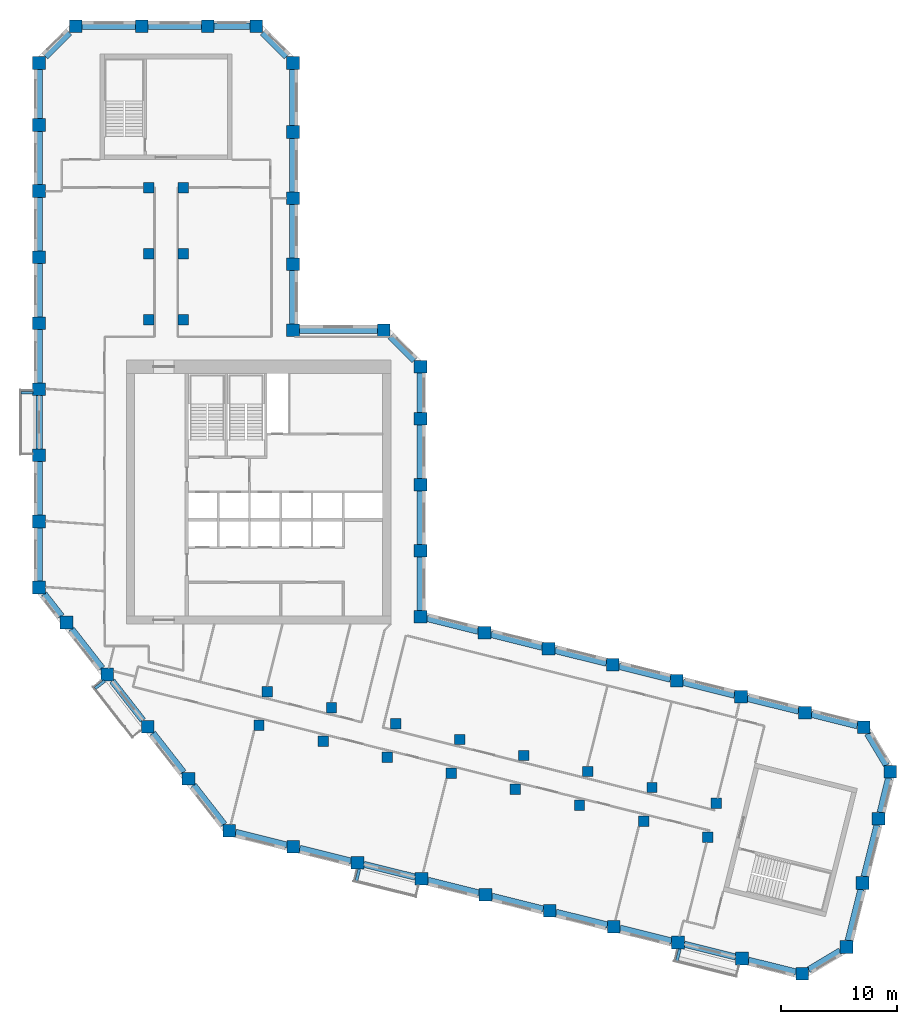
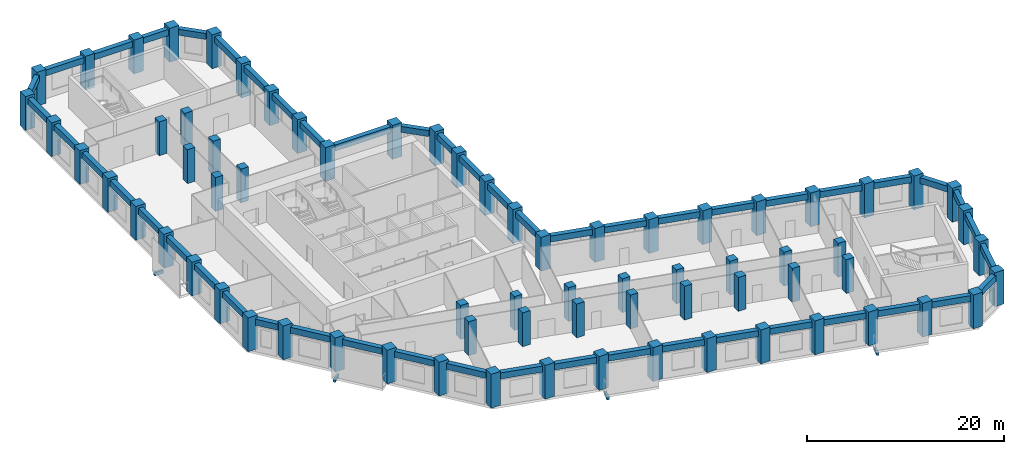
# One storey, part 1 of 10: 71 columns, 53 beams.
"""IFC4 building model written with IfcOpenShell, lengths in metres."""

from ifc_helpers import new_model, si_unit, direction, frame, origin, origin_2d, place, context, subcontext, project, spatial, rectangle, extrude, material, material_profile, profile_set, type_object, element, save


model = new_model("IFC4")

# Units and contexts
model_context = context("Model", 3, precision=1e-05, world=origin(), true_north=direction((0.0, 1.0)))
body_context = subcontext(model_context, "Body", "Model", "MODEL_VIEW")
ifc_project = project(units=[si_unit("LENGTHUNIT", "METRE"), si_unit("AREAUNIT", "SQUARE_METRE"), si_unit("VOLUMEUNIT", "CUBIC_METRE"), si_unit("PLANEANGLEUNIT", "RADIAN"), si_unit("MASSUNIT", "GRAM", prefix="KILO")], contexts=[model_context])

# Site, building, storey
site_placement = place(None, origin())
site = spatial("IfcSite", under=ifc_project, at=site_placement, CompositionType="ELEMENT")
building_placement = place(site_placement, origin())
building = spatial("IfcBuilding", under=site, at=building_placement, Name="Meshkara Civic Tower", CompositionType="ELEMENT")
storey_placement = place(building_placement, frame((0.0, 0.0, 267.60009765625)))
storey = spatial("IfcBuildingStorey", under=building, at=storey_placement, Name="L61", CompositionType="ELEMENT", Elevation=267.60009765625)

# Columns
ifc_material_1 = material(Name="Concrete C60", Category="concrete")
ifc_material_profile_1 = material_profile(ifc_material_1, rectangle(XDim=0.89990234375, YDim=0.89990234375, at=origin_2d()))
ifc_profile_set_1 = profile_set([ifc_material_profile_1], Name="Concrete C60")
column_type_1 = type_object("IfcColumnType", Name="Interior column RC 900x900 C60", PredefinedType="COLUMN", material=ifc_profile_set_1)
for number, where, z_axis, x_axis, name in (
    (1, (9.89990234375, 40.35009765625, 0.0), (0.0, 0.0, 1.0), (1.0, 0.0, 0.0), "Column SA1-04 L61"),
    (2, (9.89990234375, 46.050048828125, 0.0), (0.0, 0.0, 1.0), (1.0, 0.0, 0.0), "Column SA1-05 L61"),
    (3, (9.89990234375, 51.75, 0.0), (0.0, 0.0, 1.0), (1.0, 0.0, 0.0), "Column SA1-06 L61"),
    (4, (12.89990234375, 40.35009765625, 0.0), (0.0, 0.0, 1.0), (1.0, 0.0, 0.0), "Column SA2-04 L61"),
    (5, (12.89990234375, 46.050048828125, 0.0), (0.0, 0.0, 1.0), (1.0, 0.0, 0.0), "Column SA2-05 L61"),
    (6, (12.89990234375, 51.75, 0.0), (0.0, 0.0, 1.0), (1.0, 0.0, 0.0), "Column SA2-06 L61"),
    (7, (19.424072265625, 5.360107421875, 0.0), (0.0, 0.0, 1.0), (1.0, 0.0, 0.0), "Column SB1-00 L61"),
    (8, (24.9541015625, 3.98095703125, 0.0), (0.0, 0.0, 1.0), (1.0, 0.0, 0.0), "Column SB1-01 L61"),
    (9, (30.485107421875, 2.60205078125, 0.0), (0.0, 0.0, 1.0), (1.0, 0.0, 0.0), "Column SB1-02 L61"),
    (10, (36.01611328125, 1.222900390625, 0.0), (0.0, 0.0, 1.0), (1.0, 0.0, 0.0), "Column SB1-03 L61"),
    (11, (41.5458984375, -0.156005859375, 0.0), (0.0, 0.0, 1.0), (1.0, 0.0, 0.0), "Column SB1-04 L61"),
    (12, (47.076904296875, -1.534912109375, 0.0), (0.0, 0.0, 1.0), (1.0, 0.0, 0.0), "Column SB1-05 L61"),
    (13, (52.60791015625, -2.9140625, 0.0), (0.0, 0.0, 1.0), (1.0, 0.0, 0.0), "Column SB1-06 L61"),
    (14, (58.138916015625, -4.2919921875, 0.0), (0.0, 0.0, 1.0), (1.0, 0.0, 0.0), "Column SB1-07 L61"),
    (15, (20.14892578125, 8.27099609375, 0.0), (0.0, 0.0, 1.0), (1.0, 0.0, 0.0), "Column SB2-00 L61"),
    (16, (25.679931640625, 6.89208984375, 0.0), (0.0, 0.0, 1.0), (1.0, 0.0, 0.0), "Column SB2-01 L61"),
    (17, (31.2109375, 5.512939453125, 0.0), (0.0, 0.0, 1.0), (1.0, 0.0, 0.0), "Column SB2-02 L61"),
    (18, (36.741943359375, 4.134033203125, 0.0), (0.0, 0.0, 1.0), (1.0, 0.0, 0.0), "Column SB2-03 L61"),
    (19, (42.27197265625, 2.7548828125, 0.0), (0.0, 0.0, 1.0), (1.0, 0.0, 0.0), "Column SB2-04 L61"),
    (20, (47.802978515625, 1.3759765625, 0.0), (0.0, 0.0, 1.0), (1.0, 0.0, 0.0), "Column SB2-05 L61"),
    (21, (53.333984375, -0.0029296875, 0.0), (0.0, 0.0, 1.0), (1.0, 0.0, 0.0), "Column SB2-06 L61"),
    (22, (58.864013671875, -1.382080078125, 0.0), (0.0, 0.0, 1.0), (1.0, 0.0, 0.0), "Column SB2-07 L61"),
):
    element("IfcColumn", number, at=place(storey_placement, frame(where, z_axis=z_axis, x_axis=x_axis)), inside=storey, type_object=column_type_1, Name=name, PredefinedType="COLUMN", context=body_context, shape_type="SweptSolid", body=[
        extrude(rectangle(XDim=0.89990234375, YDim=0.89990234375, at=origin_2d()), origin(), (0.0, 0.0, 1.0), 4.199951171875),
    ])
ifc_material_2 = material(Name="Concrete C60", Category="concrete")
ifc_material_profile_2 = material_profile(ifc_material_2, rectangle(XDim=1.10009765625, YDim=1.10009765625, at=origin_2d()))
ifc_profile_set_2 = profile_set([ifc_material_profile_2], Name="Concrete C60")
column_type_2 = type_object("IfcColumnType", Name="Perimeter column RC 1100x1100 C60", PredefinedType="COLUMN", material=ifc_profile_set_2)
for number, where, z_axis, x_axis, name in (
    (23, (33.35009765625, 14.718994140625, 0.0), (0.0, 0.0, 1.0), (1.0, 0.0, 0.0), "Column HE00 L61"),
    (24, (33.35009765625, 20.4189453125, 0.0), (0.0, 0.0, 1.0), (1.0, 0.0, 0.0), "Column HE01 L61"),
    (25, (33.35009765625, 26.118896484375, 0.0), (0.0, 0.0, 1.0), (1.0, 0.0, 0.0), "Column HE02 L61"),
    (26, (33.35009765625, 31.819091796875, 0.0), (0.0, 0.0, 1.0), (1.0, 0.0, 0.0), "Column HE03 L61"),
    (27, (33.35009765625, 36.2939453125, 0.0), (0.0, 0.0, 1.0), (1.0, 0.0, 0.0), "Column HEE L61"),
    (28, (30.194091796875, 39.449951171875, 0.0), (0.0, 0.0, 1.0), (1.0, 0.0, 0.0), "Column HCeE L61"),
    (29, (22.35009765625, 39.449951171875, 0.0), (0.0, 0.0, 1.0), (1.0, 0.0, 0.0), "Column HN00 L61"),
    (30, (22.35009765625, 45.14990234375, 0.0), (0.0, 0.0, 1.0), (1.0, 0.0, 0.0), "Column AE01 L61"),
    (31, (22.35009765625, 50.85009765625, 0.0), (0.0, 0.0, 1.0), (1.0, 0.0, 0.0), "Column AE02 L61"),
    (32, (22.35009765625, 56.550048828125, 0.0), (0.0, 0.0, 1.0), (1.0, 0.0, 0.0), "Column AE03 L61"),
    (33, (22.35009765625, 62.513916015625, 0.0), (0.0, 0.0, 1.0), (1.0, 0.0, 0.0), "Column AEEP3 L61"),
    (34, (19.194091796875, 65.669921875, 0.0), (0.0, 0.0, 1.0), (1.0, 0.0, 0.0), "Column ATiEP3 L61"),
    (35, (3.60595703125, 65.669921875, 0.0), (0.0, 0.0, 1.0), (1.0, 0.0, 0.0), "Column AT00-P3 L61"),
    (36, (9.305908203125, 65.669921875, 0.0), (0.0, 0.0, 1.0), (1.0, 0.0, 0.0), "Column AT01-P3 L61"),
    (37, (15.006103515625, 65.669921875, 0.0), (0.0, 0.0, 1.0), (1.0, 0.0, 0.0), "Column AT02-P3 L61"),
    (38, (0.449951171875, 62.513916015625, 0.0), (0.0, 0.0, 1.0), (1.0, 0.0, 0.0), "Column ATo00-P3 L61"),
    (39, (0.449951171875, 17.2548828125, 0.0), (0.0, 0.0, 1.0), (1.0, 0.0, 0.0), "Column AW00 L61"),
    (40, (0.449951171875, 22.955078125, 0.0), (0.0, 0.0, 1.0), (1.0, 0.0, 0.0), "Column AW01 L61"),
    (41, (0.449951171875, 28.655029296875, 0.0), (0.0, 0.0, 1.0), (1.0, 0.0, 0.0), "Column AW02 L61"),
    (42, (0.449951171875, 34.35498046875, 0.0), (0.0, 0.0, 1.0), (1.0, 0.0, 0.0), "Column AW03 L61"),
    (43, (0.449951171875, 40.054931640625, 0.0), (0.0, 0.0, 1.0), (1.0, 0.0, 0.0), "Column AW04 L61"),
    (44, (0.449951171875, 45.7548828125, 0.0), (0.0, 0.0, 1.0), (1.0, 0.0, 0.0), "Column AW05 L61"),
    (45, (0.449951171875, 51.455078125, 0.0), (0.0, 0.0, 1.0), (1.0, 0.0, 0.0), "Column AW06 L61"),
    (46, (0.449951171875, 57.155029296875, 0.0), (0.0, 0.0, 1.0), (1.0, 0.0, 0.0), "Column AW07 L61"),
    (47, (16.85107421875, -3.738037109375, 0.0), (0.0, 0.0, 1.0), (1.0, 0.0, 0.0), "Column BOW00 L61"),
    (48, (13.342041015625, 0.75390625, 0.0), (0.0, 0.0, 1.0), (1.0, 0.0, 0.0), "Column BOW01 L61"),
    (49, (9.8330078125, 5.2451171875, 0.0), (0.0, 0.0, 1.0), (1.0, 0.0, 0.0), "Column BOW02 L61"),
    (50, (6.322998046875, 9.737060546875, 0.0), (0.0, 0.0, 1.0), (1.0, 0.0, 0.0), "Column BOW03 L61"),
    (51, (2.81396484375, 14.22900390625, 0.0), (0.0, 0.0, 1.0), (1.0, 0.0, 0.0), "Column BOW04 L61"),
    (52, (22.382080078125, -5.116943359375, 0.0), (0.0, 0.0, 1.0), (1.0, 0.0, 0.0), "Column BS01 L61"),
    (53, (27.912109375, -6.49609375, 0.0), (0.0, 0.0, 1.0), (1.0, 0.0, 0.0), "Column BS02 L61"),
    (54, (33.443115234375, -7.875, 0.0), (0.0, 0.0, 1.0), (1.0, 0.0, 0.0), "Column BS03 L61"),
    (55, (38.97412109375, -9.2529296875, 0.0), (0.0, 0.0, 1.0), (1.0, 0.0, 0.0), "Column BS04-P1 L61"),
    (56, (44.5048828125, -10.632080078125, 0.0), (0.0, 0.0, 1.0), (1.0, 0.0, 0.0), "Column BS05 L61"),
    (57, (50.034912109375, -12.010986328125, 0.0), (0.0, 0.0, 1.0), (1.0, 0.0, 0.0), "Column BS06 L61"),
    (58, (55.56591796875, -13.389892578125, 0.0), (0.0, 0.0, 1.0), (1.0, 0.0, 0.0), "Column BS07 L61"),
    (59, (61.096923828125, -14.76904296875, 0.0), (0.0, 0.0, 1.0), (1.0, 0.0, 0.0), "Column BS08 L61"),
    (60, (66.2958984375, -16.06494140625, 0.0), (0.0, 0.0, 1.0), (1.0, 0.0, 0.0), "Column BSEP3 L61"),
    (61, (70.1220703125, -13.76611328125, 0.0), (0.0, 0.0, 1.0), (1.0, 0.0, 0.0), "Column BToEP3 L61"),
    (62, (71.5009765625, -8.235107421875, 0.0), (0.0, 0.0, 1.0), (1.0, 0.0, 0.0), "Column BT01-P3 L61"),
    (63, (72.8798828125, -2.705078125, 0.0), (0.0, 0.0, 1.0), (1.0, 0.0, 0.0), "Column BT02-P3 L61"),
    (64, (73.89306640625, 1.35791015625, 0.0), (0.0, 0.0, 1.0), (1.0, 0.0, 0.0), "Column BTEP3 L61"),
    (65, (71.593994140625, 5.18310546875, 0.0), (0.0, 0.0, 1.0), (1.0, 0.0, 0.0), "Column BTi00-P3 L61"),
    (66, (38.881103515625, 13.340087890625, 0.0), (0.0, 0.0, 1.0), (1.0, 0.0, 0.0), "Column BN01 L61"),
    (67, (44.410888671875, 11.9609375, 0.0), (0.0, 0.0, 1.0), (1.0, 0.0, 0.0), "Column BN02 L61"),
    (68, (49.94189453125, 10.58203125, 0.0), (0.0, 0.0, 1.0), (1.0, 0.0, 0.0), "Column BN03 L61"),
    (69, (55.472900390625, 9.202880859375, 0.0), (0.0, 0.0, 1.0), (1.0, 0.0, 0.0), "Column BN04 L61"),
    (70, (61.0029296875, 7.823974609375, 0.0), (0.0, 0.0, 1.0), (1.0, 0.0, 0.0), "Column BN05 L61"),
    (71, (66.533935546875, 6.445068359375, 0.0), (0.0, 0.0, 1.0), (1.0, 0.0, 0.0), "Column BN06 L61"),
):
    element("IfcColumn", number, at=place(storey_placement, frame(where, z_axis=z_axis, x_axis=x_axis)), inside=storey, type_object=column_type_2, Name=name, PredefinedType="COLUMN", context=body_context, shape_type="SweptSolid", body=[
        extrude(rectangle(XDim=1.10009765625, YDim=1.10009765625, at=origin_2d()), origin(), (0.0, 0.0, 1.0), 4.199951171875),
    ])

# Beams
ifc_material_3 = material(Name="Concrete C50", Category="concrete")
ifc_material_profile_3 = material_profile(ifc_material_3, rectangle(XDim=0.25, YDim=0.39990234375, at=origin_2d()))
ifc_profile_set_3 = profile_set([ifc_material_profile_3], Name="Concrete C50")
beam_type_1 = type_object("IfcBeamType", Name="Balcony bracket beam RC 250x400 C50", PredefinedType="BEAM", material=ifc_profile_set_3)
beam_1_placement = place(storey_placement, frame((-0.094970703125, 34.054931640625, -0.5), z_axis=(-1.0, 0.0, 0.0), x_axis=(0.0, -1.0, 0.0)))
element("IfcBeam", 72, at=beam_1_placement, inside=storey, type_object=beam_type_1, Name="Balcony bracket beam", PredefinedType="BEAM", context=body_context, shape_type="SweptSolid", body=[
    extrude(rectangle(XDim=0.25, YDim=0.39990234375, at=origin_2d()), origin(), (0.0, 0.0, 1.0), 1.005126953125),
])
beam_2_placement = place(storey_placement, frame((6.110107421875, 9.18994140625, -0.5), z_axis=(-0.788091711778, -0.615557839546, 0.0), x_axis=(0.615557839546, -0.788091711778, 0.0)))
element("IfcBeam", 73, at=beam_2_placement, inside=storey, type_object=beam_type_1, Name="Balcony bracket beam", PredefinedType="BEAM", context=body_context, shape_type="SweptSolid", body=[
    extrude(rectangle(XDim=0.25, YDim=0.39990234375, at=origin_2d()), origin(), (0.0, 0.0, 1.0), 1.044189453125),
])
beam_3_placement = place(storey_placement, frame((28.0849609375, -7.041015625, -0.5), z_axis=(-0.241940897637, -0.970290988338, 0.0), x_axis=(0.970290988338, -0.241940897637, 0.0)))
element("IfcBeam", 74, at=beam_3_placement, inside=storey, type_object=beam_type_1, Name="Balcony bracket beam", PredefinedType="BEAM", context=body_context, shape_type="SweptSolid", body=[
    extrude(rectangle(XDim=0.25, YDim=0.39990234375, at=origin_2d()), origin(), (0.0, 0.0, 1.0), 1.0625),
])
beam_4_placement = place(storey_placement, frame((55.739013671875, -13.93505859375, -0.5), z_axis=(-0.241725333206, -0.970344713639, 0.0), x_axis=(0.970344713639, -0.241725333206, 0.0)))
element("IfcBeam", 75, at=beam_4_placement, inside=storey, type_object=beam_type_1, Name="Balcony bracket beam", PredefinedType="BEAM", context=body_context, shape_type="SweptSolid", body=[
    extrude(rectangle(XDim=0.25, YDim=0.39990234375, at=origin_2d()), origin(), (0.0, 0.0, 1.0), 1.0634765625),
])
ifc_material_4 = material(Name="Concrete C60", Category="concrete")
ifc_material_profile_4 = material_profile(ifc_material_4, rectangle(XDim=0.550048828125, YDim=0.75, at=origin_2d()))
ifc_profile_set_4 = profile_set([ifc_material_profile_4], Name="Concrete C60")
beam_type_2 = type_object("IfcBeamType", Name="Spandrel beam RC 550x750 C60", PredefinedType="BEAM", material=ifc_profile_set_4)
beam_5_placement = place(storey_placement, frame((65.989013671875, 6.580810546875, 3.52490234375), z_axis=(-0.970299186733, 0.241908016044, 0.0), x_axis=(-0.241908016044, -0.970299186733, 0.0)))
element("IfcBeam", 76, at=beam_5_placement, inside=storey, type_object=beam_type_2, Name="Spandrel beam BN05-BN06", PredefinedType="BEAM", context=body_context, shape_type="SweptSolid", body=[
    extrude(rectangle(XDim=0.550048828125, YDim=0.75, at=origin_2d()), origin(), (0.0, 0.0, 1.0), 4.576904296875),
])
beam_6_placement = place(storey_placement, frame((60.4580078125, 7.9599609375, 3.52490234375), z_axis=(-0.970286696562, 0.241958108925, 0.0), x_axis=(-0.241958108925, -0.970286696562, 0.0)))
element("IfcBeam", 77, at=beam_6_placement, inside=storey, type_object=beam_type_2, Name="Spandrel beam BN04-BN05", PredefinedType="BEAM", context=body_context, shape_type="SweptSolid", body=[
    extrude(rectangle(XDim=0.550048828125, YDim=0.75, at=origin_2d()), origin(), (0.0, 0.0, 1.0), 4.575927734375),
])
for number, where, z_axis, x_axis, name in (
    (78, (54.927978515625, 9.3388671875, 3.52490234375), (-0.970299186733, 0.241908016044, 0.0), (-0.241908016044, -0.970299186733, 0.0), "Spandrel beam BN03-BN04"),
    (79, (49.39697265625, 10.718017578125, 3.52490234375), (-0.970299186733, 0.241908016044, 0.0), (-0.241908016044, -0.970299186733, 0.0), "Spandrel beam BN02-BN03"),
):
    element("IfcBeam", number, at=place(storey_placement, frame(where, z_axis=z_axis, x_axis=x_axis)), inside=storey, type_object=beam_type_2, Name=name, PredefinedType="BEAM", context=body_context, shape_type="SweptSolid", body=[
        extrude(rectangle(XDim=0.550048828125, YDim=0.75, at=origin_2d()), origin(), (0.0, 0.0, 1.0), 4.576904296875),
    ])
beam_7_placement = place(storey_placement, frame((43.865966796875, 12.096923828125, 3.52490234375), z_axis=(-0.970286696562, 0.241958108925, 0.0), x_axis=(-0.241958108925, -0.970286696562, 0.0)))
element("IfcBeam", 80, at=beam_7_placement, inside=storey, type_object=beam_type_2, Name="Spandrel beam BN01-BN02", PredefinedType="BEAM", context=body_context, shape_type="SweptSolid", body=[
    extrude(rectangle(XDim=0.550048828125, YDim=0.75, at=origin_2d()), origin(), (0.0, 0.0, 1.0), 4.575927734375),
])
beam_8_placement = place(storey_placement, frame((38.3359375, 13.475830078125, 3.52490234375), z_axis=(-0.970299186733, 0.241908016044, 0.0), x_axis=(-0.241908016044, -0.970299186733, 0.0)))
element("IfcBeam", 81, at=beam_8_placement, inside=storey, type_object=beam_type_2, Name="Spandrel beam BN01-HE00", PredefinedType="BEAM", context=body_context, shape_type="SweptSolid", body=[
    extrude(rectangle(XDim=0.550048828125, YDim=0.75, at=origin_2d()), origin(), (0.0, 0.0, 1.0), 4.576904296875),
])
beam_9_placement = place(storey_placement, frame((33.35009765625, 15.263916015625, 3.52490234375), z_axis=(0.0, 1.0, 0.0), x_axis=(-1.0, 0.0, 0.0)))
element("IfcBeam", 82, at=beam_9_placement, inside=storey, type_object=beam_type_2, Name="Spandrel beam HE00-HE01", PredefinedType="BEAM", context=body_context, shape_type="SweptSolid", body=[
    extrude(rectangle(XDim=0.550048828125, YDim=0.75, at=origin_2d()), origin(), (0.0, 0.0, 1.0), 4.610107421875),
])
for number, where, z_axis, x_axis, name in (
    (83, (33.35009765625, 20.964111328125, 3.52490234375), (0.0, 1.0, 0.0), (-1.0, 0.0, 0.0), "Spandrel beam HE01-HE02"),
    (84, (33.35009765625, 26.6640625, 3.52490234375), (0.0, 1.0, 0.0), (-1.0, 0.0, 0.0), "Spandrel beam HE02-HE03"),
):
    element("IfcBeam", number, at=place(storey_placement, frame(where, z_axis=z_axis, x_axis=x_axis)), inside=storey, type_object=beam_type_2, Name=name, PredefinedType="BEAM", context=body_context, shape_type="SweptSolid", body=[
        extrude(rectangle(XDim=0.550048828125, YDim=0.75, at=origin_2d()), origin(), (0.0, 0.0, 1.0), 4.60986328125),
    ])
beam_10_placement = place(storey_placement, frame((33.35009765625, 32.364013671875, 3.52490234375), z_axis=(0.0, 1.0, 0.0), x_axis=(-1.0, 0.0, 0.0)))
element("IfcBeam", 85, at=beam_10_placement, inside=storey, type_object=beam_type_2, Name="Spandrel beam HE03-HEE", PredefinedType="BEAM", context=body_context, shape_type="SweptSolid", body=[
    extrude(rectangle(XDim=0.550048828125, YDim=0.75, at=origin_2d()), origin(), (0.0, 0.0, 1.0), 3.385009765625),
])
beam_11_placement = place(storey_placement, frame((32.803466796875, 36.840576171875, 3.52490234375), z_axis=(-0.707106781187, 0.707106781187, 0.0), x_axis=(-0.707106781187, -0.707106781187, 0.0)))
element("IfcBeam", 86, at=beam_11_placement, inside=storey, type_object=beam_type_2, Name="Spandrel beam HCeE-HEE", PredefinedType="BEAM", context=body_context, shape_type="SweptSolid", body=[
    extrude(rectangle(XDim=0.550048828125, YDim=0.75, at=origin_2d()), origin(), (0.0, 0.0, 1.0), 2.91748046875),
])
beam_12_placement = place(storey_placement, frame((29.64892578125, 39.449951171875, 3.52490234375), z_axis=(-1.0, 0.0, 0.0), x_axis=(0.0, -1.0, 0.0)))
element("IfcBeam", 87, at=beam_12_placement, inside=storey, type_object=beam_type_2, Name="Spandrel beam HCeE-HN00", PredefinedType="BEAM", context=body_context, shape_type="SweptSolid", body=[
    extrude(rectangle(XDim=0.550048828125, YDim=0.75, at=origin_2d()), origin(), (0.0, 0.0, 1.0), 6.75390625),
])
for number, where, z_axis, x_axis, name in (
    (88, (22.35009765625, 39.9951171875, 3.52490234375), (0.0, 1.0, 0.0), (-1.0, 0.0, 0.0), "Spandrel beam AE01-HN00"),
    (89, (22.35009765625, 45.695068359375, 3.52490234375), (0.0, 1.0, 0.0), (-1.0, 0.0, 0.0), "Spandrel beam AE01-AE02"),
    (90, (22.35009765625, 51.39501953125, 3.52490234375), (0.0, 1.0, 0.0), (-1.0, 0.0, 0.0), "Spandrel beam AE02-AE03"),
):
    element("IfcBeam", number, at=place(storey_placement, frame(where, z_axis=z_axis, x_axis=x_axis)), inside=storey, type_object=beam_type_2, Name=name, PredefinedType="BEAM", context=body_context, shape_type="SweptSolid", body=[
        extrude(rectangle(XDim=0.550048828125, YDim=0.75, at=origin_2d()), origin(), (0.0, 0.0, 1.0), 4.60986328125),
    ])
beam_13_placement = place(storey_placement, frame((22.35009765625, 57.094970703125, 3.52490234375), z_axis=(0.0, 1.0, 0.0), x_axis=(-1.0, 0.0, 0.0)))
element("IfcBeam", 91, at=beam_13_placement, inside=storey, type_object=beam_type_2, Name="Spandrel beam AE03-AEEP3", PredefinedType="BEAM", context=body_context, shape_type="SweptSolid", body=[
    extrude(rectangle(XDim=0.550048828125, YDim=0.75, at=origin_2d()), origin(), (0.0, 0.0, 1.0), 4.8740234375),
])
beam_14_placement = place(storey_placement, frame((21.803466796875, 63.060546875, 3.52490234375), z_axis=(-0.707106781187, 0.707106781187, 0.0), x_axis=(-0.707106781187, -0.707106781187, 0.0)))
element("IfcBeam", 92, at=beam_14_placement, inside=storey, type_object=beam_type_2, Name="Spandrel beam AEEP3-ATiEP3", PredefinedType="BEAM", context=body_context, shape_type="SweptSolid", body=[
    extrude(rectangle(XDim=0.550048828125, YDim=0.75, at=origin_2d()), origin(), (0.0, 0.0, 1.0), 2.91748046875),
])
beam_15_placement = place(storey_placement, frame((18.64892578125, 65.669921875, 3.52490234375), z_axis=(-1.0, 0.0, 0.0), x_axis=(0.0, -1.0, 0.0)))
element("IfcBeam", 93, at=beam_15_placement, inside=storey, type_object=beam_type_2, Name="Spandrel beam AT02-P3-ATiEP3", PredefinedType="BEAM", context=body_context, shape_type="SweptSolid", body=[
    extrude(rectangle(XDim=0.550048828125, YDim=0.75, at=origin_2d()), origin(), (0.0, 0.0, 1.0), 3.097900390625),
])
beam_16_placement = place(storey_placement, frame((14.4609375, 65.669921875, 3.52490234375), z_axis=(-1.0, 0.0, 0.0), x_axis=(0.0, -1.0, 0.0)))
element("IfcBeam", 94, at=beam_16_placement, inside=storey, type_object=beam_type_2, Name="Spandrel beam AT01-P3-AT02-P3", PredefinedType="BEAM", context=body_context, shape_type="SweptSolid", body=[
    extrude(rectangle(XDim=0.550048828125, YDim=0.75, at=origin_2d()), origin(), (0.0, 0.0, 1.0), 4.60986328125),
])
beam_17_placement = place(storey_placement, frame((8.760986328125, 65.669921875, 3.52490234375), z_axis=(-1.0, 0.0, 0.0), x_axis=(0.0, -1.0, 0.0)))
element("IfcBeam", 95, at=beam_17_placement, inside=storey, type_object=beam_type_2, Name="Spandrel beam AT00-P3-AT01-P3", PredefinedType="BEAM", context=body_context, shape_type="SweptSolid", body=[
    extrude(rectangle(XDim=0.550048828125, YDim=0.75, at=origin_2d()), origin(), (0.0, 0.0, 1.0), 4.610107421875),
])
beam_18_placement = place(storey_placement, frame((3.0595703125, 65.12353515625, 3.52490234375), z_axis=(-0.707106781187, -0.707106781187, 0.0), x_axis=(0.707106781187, -0.707106781187, 0.0)))
element("IfcBeam", 96, at=beam_18_placement, inside=storey, type_object=beam_type_2, Name="Spandrel beam AT00-P3-ATo00-P3", PredefinedType="BEAM", context=body_context, shape_type="SweptSolid", body=[
    extrude(rectangle(XDim=0.550048828125, YDim=0.75, at=origin_2d()), origin(), (0.0, 0.0, 1.0), 2.91748046875),
])
beam_19_placement = place(storey_placement, frame((0.449951171875, 61.968994140625, 3.52490234375), z_axis=(0.0, -1.0, 0.0), x_axis=(1.0, 0.0, 0.0)))
element("IfcBeam", 97, at=beam_19_placement, inside=storey, type_object=beam_type_2, Name="Spandrel beam ATo00-P3-AW07", PredefinedType="BEAM", context=body_context, shape_type="SweptSolid", body=[
    extrude(rectangle(XDim=0.550048828125, YDim=0.75, at=origin_2d()), origin(), (0.0, 0.0, 1.0), 4.26904296875),
])
beam_20_placement = place(storey_placement, frame((0.449951171875, 56.610107421875, 3.52490234375), z_axis=(0.0, -1.0, 0.0), x_axis=(1.0, 0.0, 0.0)))
element("IfcBeam", 98, at=beam_20_placement, inside=storey, type_object=beam_type_2, Name="Spandrel beam AW06-AW07", PredefinedType="BEAM", context=body_context, shape_type="SweptSolid", body=[
    extrude(rectangle(XDim=0.550048828125, YDim=0.75, at=origin_2d()), origin(), (0.0, 0.0, 1.0), 4.610107421875),
])
for number, where, z_axis, x_axis, name in (
    (99, (0.449951171875, 50.909912109375, 3.52490234375), (0.0, -1.0, 0.0), (1.0, 0.0, 0.0), "Spandrel beam AW05-AW06"),
    (100, (0.449951171875, 45.2099609375, 3.52490234375), (0.0, -1.0, 0.0), (1.0, 0.0, 0.0), "Spandrel beam AW04-AW05"),
):
    element("IfcBeam", number, at=place(storey_placement, frame(where, z_axis=z_axis, x_axis=x_axis)), inside=storey, type_object=beam_type_2, Name=name, PredefinedType="BEAM", context=body_context, shape_type="SweptSolid", body=[
        extrude(rectangle(XDim=0.550048828125, YDim=0.75, at=origin_2d()), origin(), (0.0, 0.0, 1.0), 4.60986328125),
    ])
for number, where, z_axis, x_axis, name in (
    (101, (0.449951171875, 39.510009765625, 3.52490234375), (0.0, -1.0, 0.0), (1.0, 0.0, 0.0), "Spandrel beam AW03-AW04"),
    (102, (0.449951171875, 33.81005859375, 3.52490234375), (0.0, -1.0, 0.0), (1.0, 0.0, 0.0), "Spandrel beam AW02-AW03"),
    (103, (0.449951171875, 28.110107421875, 3.52490234375), (0.0, -1.0, 0.0), (1.0, 0.0, 0.0), "Spandrel beam AW01-AW02"),
):
    element("IfcBeam", number, at=place(storey_placement, frame(where, z_axis=z_axis, x_axis=x_axis)), inside=storey, type_object=beam_type_2, Name=name, PredefinedType="BEAM", context=body_context, shape_type="SweptSolid", body=[
        extrude(rectangle(XDim=0.550048828125, YDim=0.75, at=origin_2d()), origin(), (0.0, 0.0, 1.0), 4.610107421875),
    ])
beam_21_placement = place(storey_placement, frame((0.449951171875, 22.409912109375, 3.52490234375), z_axis=(0.0, -1.0, 0.0), x_axis=(1.0, 0.0, 0.0)))
element("IfcBeam", 104, at=beam_21_placement, inside=storey, type_object=beam_type_2, Name="Spandrel beam AW00-AW01", PredefinedType="BEAM", context=body_context, shape_type="SweptSolid", body=[
    extrude(rectangle(XDim=0.550048828125, YDim=0.75, at=origin_2d()), origin(), (0.0, 0.0, 1.0), 4.60986328125),
])
beam_22_placement = place(storey_placement, frame((0.876708984375, 16.708984375, 3.52490234375), z_axis=(0.615626666257, -0.788037948194, 0.0), x_axis=(0.788037948194, 0.615626666257, 0.0)))
element("IfcBeam", 105, at=beam_22_placement, inside=storey, type_object=beam_type_2, Name="Spandrel beam AW00-BOW04", PredefinedType="BEAM", context=body_context, shape_type="SweptSolid", body=[
    extrude(rectangle(XDim=0.550048828125, YDim=0.75, at=origin_2d()), origin(), (0.0, 0.0, 1.0), 2.4541015625),
])
beam_23_placement = place(storey_placement, frame((3.240478515625, 13.682861328125, 3.52490234375), z_axis=(0.615647336498, -0.788021799865, 0.0), x_axis=(0.788021799865, 0.615647336498, 0.0)))
element("IfcBeam", 106, at=beam_23_placement, inside=storey, type_object=beam_type_2, Name="Spandrel beam BOW03-BOW04", PredefinedType="BEAM", context=body_context, shape_type="SweptSolid", body=[
    extrude(rectangle(XDim=0.550048828125, YDim=0.75, at=origin_2d()), origin(), (0.0, 0.0, 1.0), 4.314208984375),
])
beam_24_placement = place(storey_placement, frame((6.749755859375, 9.19091796875, 3.52490234375), z_axis=(0.615690159083, -0.787988342559, 0.0), x_axis=(0.787988342559, 0.615690159083, 0.0)))
element("IfcBeam", 107, at=beam_24_placement, inside=storey, type_object=beam_type_2, Name="Spandrel beam BOW02-BOW03", PredefinedType="BEAM", context=body_context, shape_type="SweptSolid", body=[
    extrude(rectangle(XDim=0.550048828125, YDim=0.75, at=origin_2d()), origin(), (0.0, 0.0, 1.0), 4.314697265625),
])
beam_25_placement = place(storey_placement, frame((10.259765625, 4.698974609375, 3.52490234375), z_axis=(0.615659419462, -0.788012359819, 0.0), x_axis=(0.788012359819, 0.615659419462, 0.0)))
element("IfcBeam", 108, at=beam_25_placement, inside=storey, type_object=beam_type_2, Name="Spandrel beam BOW01-BOW02", PredefinedType="BEAM", context=body_context, shape_type="SweptSolid", body=[
    extrude(rectangle(XDim=0.550048828125, YDim=0.75, at=origin_2d()), origin(), (0.0, 0.0, 1.0), 4.313232421875),
])
beam_26_placement = place(storey_placement, frame((13.7685546875, 0.2080078125, 3.52490234375), z_axis=(0.615584739249, -0.788070700384, 0.0), x_axis=(0.788070700384, 0.615584739249, 0.0)))
element("IfcBeam", 109, at=beam_26_placement, inside=storey, type_object=beam_type_2, Name="Spandrel beam BOW00-BOW01", PredefinedType="BEAM", context=body_context, shape_type="SweptSolid", body=[
    extrude(rectangle(XDim=0.550048828125, YDim=0.75, at=origin_2d()), origin(), (0.0, 0.0, 1.0), 4.314208984375),
])
beam_27_placement = place(storey_placement, frame((17.39599609375, -3.873779296875, 3.52490234375), z_axis=(0.970286664886, -0.24195823595, 0.0), x_axis=(0.24195823595, 0.970286664886, 0.0)))
element("IfcBeam", 110, at=beam_27_placement, inside=storey, type_object=beam_type_2, Name="Spandrel beam BOW00-BS01", PredefinedType="BEAM", context=body_context, shape_type="SweptSolid", body=[
    extrude(rectangle(XDim=0.550048828125, YDim=0.75, at=origin_2d()), origin(), (0.0, 0.0, 1.0), 4.576904296875),
])
beam_28_placement = place(storey_placement, frame((22.927001953125, -5.2529296875, 3.52490234375), z_axis=(0.970286696562, -0.241958108925, 0.0), x_axis=(0.241958108925, 0.970286696562, 0.0)))
element("IfcBeam", 111, at=beam_28_placement, inside=storey, type_object=beam_type_2, Name="Spandrel beam BS01-BS02", PredefinedType="BEAM", context=body_context, shape_type="SweptSolid", body=[
    extrude(rectangle(XDim=0.550048828125, YDim=0.75, at=origin_2d()), origin(), (0.0, 0.0, 1.0), 4.575927734375),
])
beam_29_placement = place(storey_placement, frame((28.45703125, -6.6318359375, 3.52490234375), z_axis=(0.970299186733, -0.241908016044, 0.0), x_axis=(0.241908016044, 0.970299186733, 0.0)))
element("IfcBeam", 112, at=beam_29_placement, inside=storey, type_object=beam_type_2, Name="Spandrel beam BS02-BS03", PredefinedType="BEAM", context=body_context, shape_type="SweptSolid", body=[
    extrude(rectangle(XDim=0.550048828125, YDim=0.75, at=origin_2d()), origin(), (0.0, 0.0, 1.0), 4.576904296875),
])
beam_30_placement = place(storey_placement, frame((33.988037109375, -8.0107421875, 3.52490234375), z_axis=(0.970336738613, -0.241757344662, 0.0), x_axis=(0.241757344662, 0.970336738613, 0.0)))
element("IfcBeam", 113, at=beam_30_placement, inside=storey, type_object=beam_type_2, Name="Spandrel beam BS03-BS04-P1", PredefinedType="BEAM", context=body_context, shape_type="SweptSolid", body=[
    extrude(rectangle(XDim=0.550048828125, YDim=0.75, at=origin_2d()), origin(), (0.0, 0.0, 1.0), 4.57666015625),
])
beam_31_placement = place(storey_placement, frame((39.51904296875, -9.388916015625, 3.52490234375), z_axis=(0.970299186733, -0.241908016044, 0.0), x_axis=(0.241908016044, 0.970299186733, 0.0)))
element("IfcBeam", 114, at=beam_31_placement, inside=storey, type_object=beam_type_2, Name="Spandrel beam BS04-P1-BS05", PredefinedType="BEAM", context=body_context, shape_type="SweptSolid", body=[
    extrude(rectangle(XDim=0.550048828125, YDim=0.75, at=origin_2d()), origin(), (0.0, 0.0, 1.0), 4.576904296875),
])
beam_32_placement = place(storey_placement, frame((45.050048828125, -10.767822265625, 3.52490234375), z_axis=(0.970286696562, -0.241958108925, 0.0), x_axis=(0.241958108925, 0.970286696562, 0.0)))
element("IfcBeam", 115, at=beam_32_placement, inside=storey, type_object=beam_type_2, Name="Spandrel beam BS05-BS06", PredefinedType="BEAM", context=body_context, shape_type="SweptSolid", body=[
    extrude(rectangle(XDim=0.550048828125, YDim=0.75, at=origin_2d()), origin(), (0.0, 0.0, 1.0), 4.575927734375),
])
for number, where, z_axis, x_axis, name in (
    (116, (50.580078125, -12.14697265625, 3.52490234375), (0.970299186733, -0.241908016044, 0.0), (0.241908016044, 0.970299186733, 0.0), "Spandrel beam BS06-BS07"),
    (117, (56.111083984375, -13.52587890625, 3.52490234375), (0.970299186733, -0.241908016044, 0.0), (0.241908016044, 0.970299186733, 0.0), "Spandrel beam BS07-BS08"),
):
    element("IfcBeam", number, at=place(storey_placement, frame(where, z_axis=z_axis, x_axis=x_axis)), inside=storey, type_object=beam_type_2, Name=name, PredefinedType="BEAM", context=body_context, shape_type="SweptSolid", body=[
        extrude(rectangle(XDim=0.550048828125, YDim=0.75, at=origin_2d()), origin(), (0.0, 0.0, 1.0), 4.576904296875),
    ])
beam_33_placement = place(storey_placement, frame((61.64208984375, -14.90478515625, 3.52490234375), z_axis=(0.970298301424, -0.24191156701, 0.0), x_axis=(0.24191156701, 0.970298301424, 0.0)))
element("IfcBeam", 118, at=beam_33_placement, inside=storey, type_object=beam_type_2, Name="Spandrel beam BS08-BSEP3", PredefinedType="BEAM", context=body_context, shape_type="SweptSolid", body=[
    extrude(rectangle(XDim=0.550048828125, YDim=0.75, at=origin_2d()), origin(), (0.0, 0.0, 1.0), 4.234619140625),
])
beam_34_placement = place(storey_placement, frame((66.841796875, -15.737060546875, 3.52490234375), z_axis=(0.857175401914, 0.51502459199, 0.0), x_axis=(-0.51502459199, 0.857175401914, 0.0)))
element("IfcBeam", 119, at=beam_34_placement, inside=storey, type_object=beam_type_2, Name="Spandrel beam BSEP3-BToEP3", PredefinedType="BEAM", context=body_context, shape_type="SweptSolid", body=[
    extrude(rectangle(XDim=0.550048828125, YDim=0.75, at=origin_2d()), origin(), (0.0, 0.0, 1.0), 3.190185546875),
])
beam_35_placement = place(storey_placement, frame((70.2578125, -13.220947265625, 3.52490234375), z_axis=(0.241908016044, 0.970299186733, 0.0), x_axis=(-0.970299186733, 0.241908016044, 0.0)))
element("IfcBeam", 120, at=beam_35_placement, inside=storey, type_object=beam_type_2, Name="Spandrel beam BT01-P3-BToEP3", PredefinedType="BEAM", context=body_context, shape_type="SweptSolid", body=[
    extrude(rectangle(XDim=0.550048828125, YDim=0.75, at=origin_2d()), origin(), (0.0, 0.0, 1.0), 4.576904296875),
])
beam_36_placement = place(storey_placement, frame((71.636962890625, -7.68994140625, 3.52490234375), z_axis=(0.241958108925, 0.970286696562, 0.0), x_axis=(-0.970286696562, 0.241958108925, 0.0)))
element("IfcBeam", 121, at=beam_36_placement, inside=storey, type_object=beam_type_2, Name="Spandrel beam BT01-P3-BT02-P3", PredefinedType="BEAM", context=body_context, shape_type="SweptSolid", body=[
    extrude(rectangle(XDim=0.550048828125, YDim=0.75, at=origin_2d()), origin(), (0.0, 0.0, 1.0), 4.575927734375),
])
beam_37_placement = place(storey_placement, frame((73.015869140625, -2.159912109375, 3.52490234375), z_axis=(0.24191686251, 0.970296981152, 0.0), x_axis=(-0.970296981152, 0.24191686251, 0.0)))
element("IfcBeam", 122, at=beam_37_placement, inside=storey, type_object=beam_type_2, Name="Spandrel beam BT02-P3-BTEP3", PredefinedType="BEAM", context=body_context, shape_type="SweptSolid", body=[
    extrude(rectangle(XDim=0.550048828125, YDim=0.75, at=origin_2d()), origin(), (0.0, 0.0, 1.0), 3.06396484375),
])
beam_38_placement = place(storey_placement, frame((73.56494140625, 1.90380859375, 3.52490234375), z_axis=(-0.515137320802, 0.857107659934, 0.0), x_axis=(-0.857107659934, -0.515137320802, 0.0)))
element("IfcBeam", 123, at=beam_38_placement, inside=storey, type_object=beam_type_2, Name="Spandrel beam BTEP3-BTi00-P3", PredefinedType="BEAM", context=body_context, shape_type="SweptSolid", body=[
    extrude(rectangle(XDim=0.550048828125, YDim=0.75, at=origin_2d()), origin(), (0.0, 0.0, 1.0), 3.189208984375),
])
beam_39_placement = place(storey_placement, frame((71.048828125, 5.319091796875, 3.52490234375), z_axis=(-0.970282744603, 0.241973956296, 0.0), x_axis=(-0.241973956296, -0.970282744603, 0.0)))
element("IfcBeam", 124, at=beam_39_placement, inside=storey, type_object=beam_type_2, Name="Spandrel beam BN06-BTi00-P3", PredefinedType="BEAM", context=body_context, shape_type="SweptSolid", body=[
    extrude(rectangle(XDim=0.550048828125, YDim=0.75, at=origin_2d()), origin(), (0.0, 0.0, 1.0), 4.09130859375),
])

save(model, "model.ifc")
